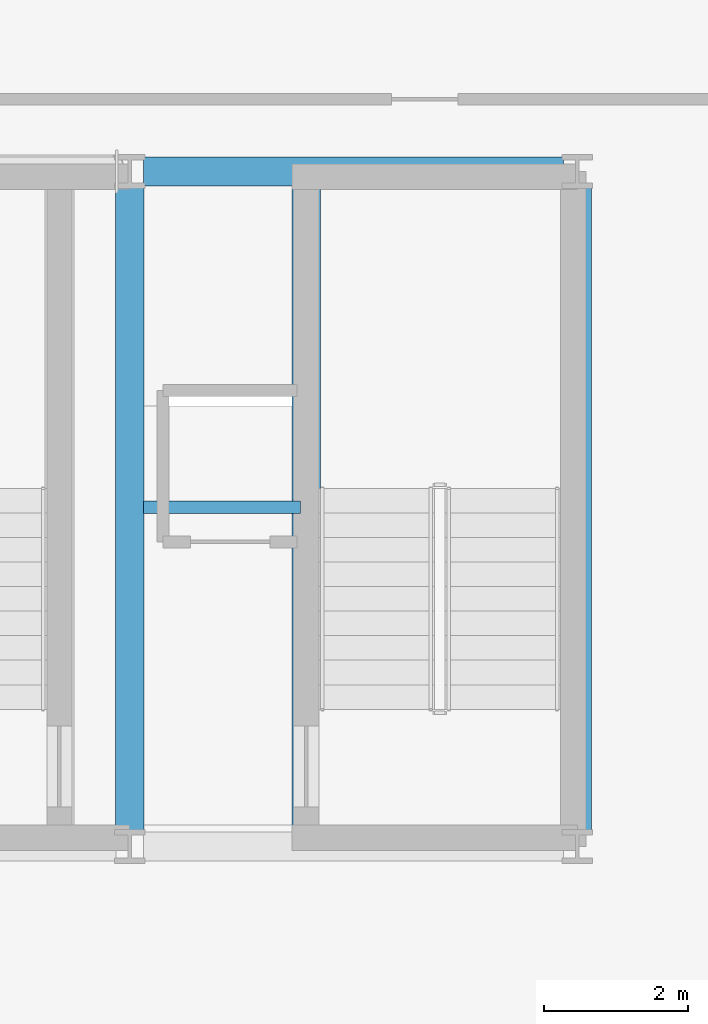
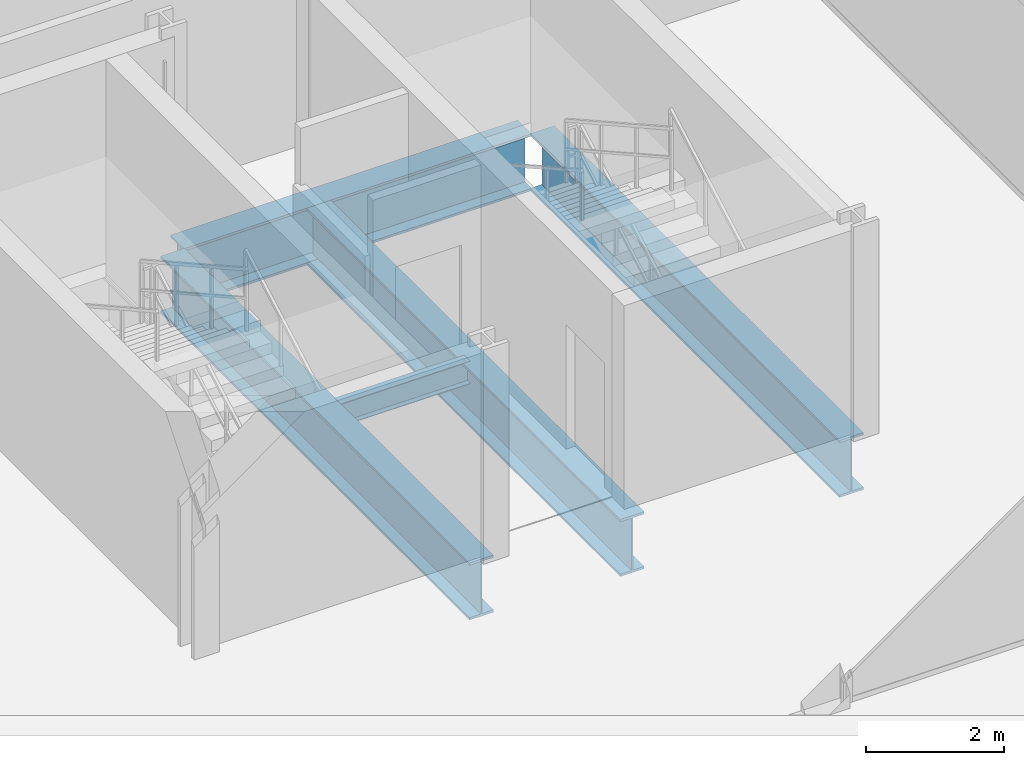
# One storey, part 5 of 12: 5 beams.
"""IFC4 building model written with IfcOpenShell, lengths in metres."""

from ifc_helpers import new_model, si_unit, direction, frame, origin, origin_2d, place, context, subcontext, project, spatial, i_section, extrude, material, material_profile, profile_set, type_object, element, save


model = new_model("IFC4")

# Units and contexts
model_context = context("Model", 3, precision=1e-05, world=origin(), true_north=direction((0.0, 1.0)))
body_context = subcontext(model_context, "Body", "Model", "MODEL_VIEW")
ifc_project = project(units=[si_unit("LENGTHUNIT", "METRE"), si_unit("AREAUNIT", "SQUARE_METRE"), si_unit("VOLUMEUNIT", "CUBIC_METRE"), si_unit("PLANEANGLEUNIT", "RADIAN"), si_unit("MASSUNIT", "GRAM", prefix="KILO")], contexts=[model_context])

# Site, building, storey
site_placement = place(None, origin())
site = spatial("IfcSite", under=ifc_project, at=site_placement, CompositionType="ELEMENT")
building_placement = place(site_placement, origin())
building = spatial("IfcBuilding", under=site, at=building_placement, Name="Zuhayl Quay Hotel", CompositionType="ELEMENT")
storey_placement = place(building_placement, frame((0.0, 0.0, 312.449951171875)))
storey = spatial("IfcBuildingStorey", under=building, at=storey_placement, Name="Crown 5", CompositionType="ELEMENT", Elevation=312.449951171875)

# Beams
ifc_material = material(Name="Steel ASTM A992 Grade 50", Category="steel")
ifc_material_profile_1 = material_profile(ifc_material, i_section(OverallWidth=0.177978515625, OverallDepth=0.404052734375, WebThickness=0.007568359375, FlangeThickness=0.010986328125, at=origin_2d()), Name="W16X36")
ifc_profile_set_1 = profile_set([ifc_material_profile_1], Name="Steel ASTM A992 Grade 50")
beam_type_1 = type_object("IfcBeamType", Name="BM_J3_W16X36", PredefinedType="JOIST", material=ifc_profile_set_1)
beam_1_placement = place(storey_placement, frame((-4.409912109375, 29.800048828125, -0.44189453125), z_axis=(1.0, 0.0, 0.0), x_axis=(0.0, 1.0, 0.0)))
element("IfcBeam", 1, at=beam_1_placement, inside=storey, type_object=beam_type_1, Name="Crown 5 Floor Beam CR_J_5_1", PredefinedType="JOIST", context=body_context, shape_type="SweptSolid", body=[
    extrude(i_section(OverallWidth=0.177978515625, OverallDepth=0.404052734375, WebThickness=0.007568359375, FlangeThickness=0.010986328125, at=origin_2d()), origin(), (0.0, 0.0, 1.0), 2.1748046875),
])
ifc_material_profile_2 = material_profile(ifc_material, i_section(OverallWidth=0.40087890625, OverallDepth=1.010986328125, WebThickness=0.023681640625, FlangeThickness=0.0419921875, at=origin_2d()), Name="W40X297")
ifc_profile_set_2 = profile_set([ifc_material_profile_2], Name="Steel ASTM A992 Grade 50")
beam_type_2 = type_object("IfcBeamType", Name="BM_TG2_W40X297", PredefinedType="BEAM", material=ifc_profile_set_2)
beam_2_placement = place(storey_placement, frame((-4.409912109375, 34.449951171875, -0.745361328125), z_axis=(1.0, 0.0, 0.0), x_axis=(0.0, 1.0, 0.0)))
element("IfcBeam", 2, at=beam_2_placement, inside=storey, type_object=beam_type_2, Name="Crown 5 Floor Beam CR_EW_5_2_2", PredefinedType="BEAM", context=body_context, shape_type="SweptSolid", body=[
    extrude(i_section(OverallWidth=0.40087890625, OverallDepth=1.010986328125, WebThickness=0.023681640625, FlangeThickness=0.0419921875, at=origin_2d()), origin(), (0.0, 0.0, 1.0), 5.81982421875),
])
for number, where, z_axis, x_axis, name in (
    (3, (-4.60009765625, 25.2900390625, -0.745361328125), (0.0, 1.0, 0.0), (-1.0, 0.0, 0.0), "Crown 5 Floor Beam CR_NS_5_2"),
    (4, (1.60009765625, 25.2900390625, -0.745361328125), (0.0, 1.0, 0.0), (-1.0, 0.0, 0.0), "Crown 5 Floor Beam CR_NS_5_3"),
):
    element("IfcBeam", number, at=place(storey_placement, frame(where, z_axis=z_axis, x_axis=x_axis)), inside=storey, type_object=beam_type_2, Name=name, PredefinedType="BEAM", context=body_context, shape_type="SweptSolid", body=[
        extrude(i_section(OverallWidth=0.40087890625, OverallDepth=1.010986328125, WebThickness=0.023681640625, FlangeThickness=0.0419921875, at=origin_2d()), origin(), (0.0, 0.0, 1.0), 8.969970703125),
    ])
beam_3_placement = place(storey_placement, frame((-2.155029296875, 25.14990234375, -0.745361328125), z_axis=(0.0, 1.0, 0.0), x_axis=(-1.0, 0.0, 0.0)))
element("IfcBeam", 5, at=beam_3_placement, inside=storey, type_object=beam_type_2, Name="Crown 5 Floor Beam CR_ST6_W_5", PredefinedType="BEAM", context=body_context, shape_type="SweptSolid", body=[
    extrude(i_section(OverallWidth=0.40087890625, OverallDepth=1.010986328125, WebThickness=0.023681640625, FlangeThickness=0.0419921875, at=origin_2d()), origin(), (0.0, 0.0, 1.0), 9.25),
])

save(model, "model.ifc")
